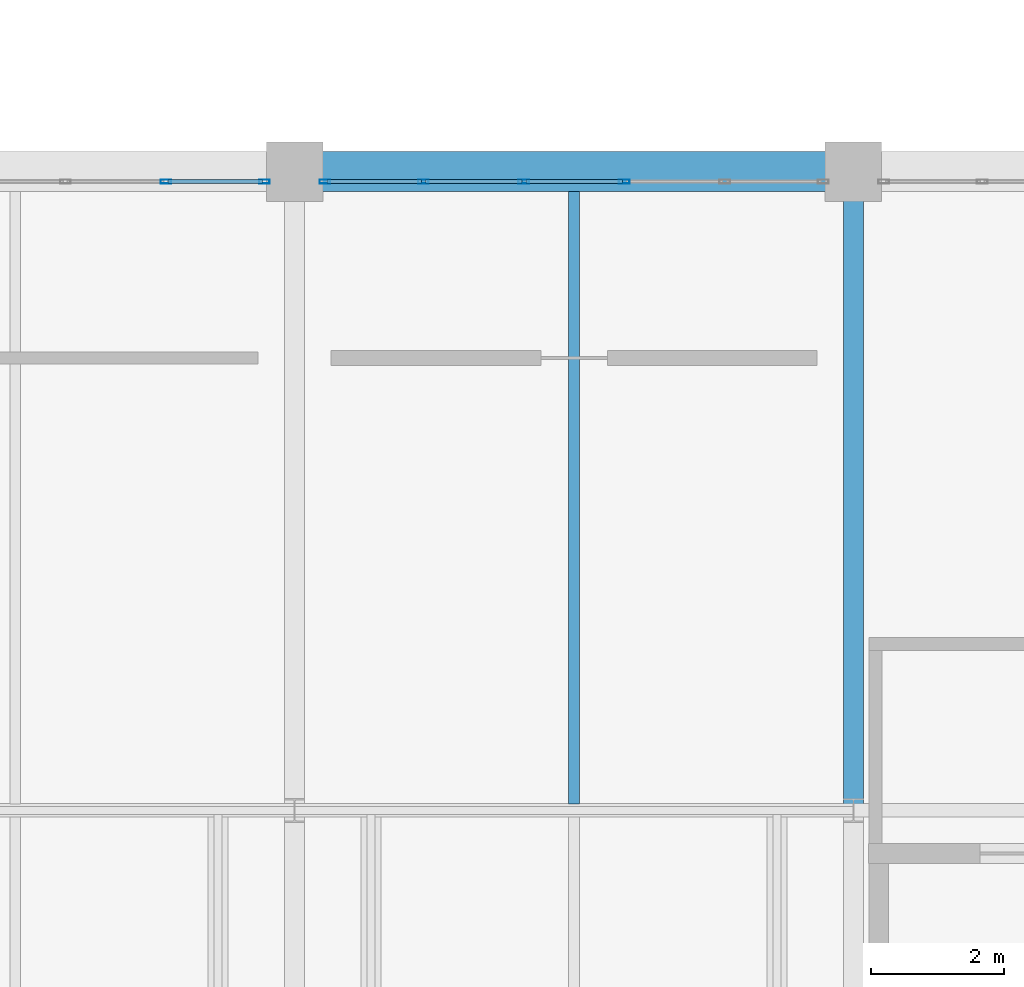
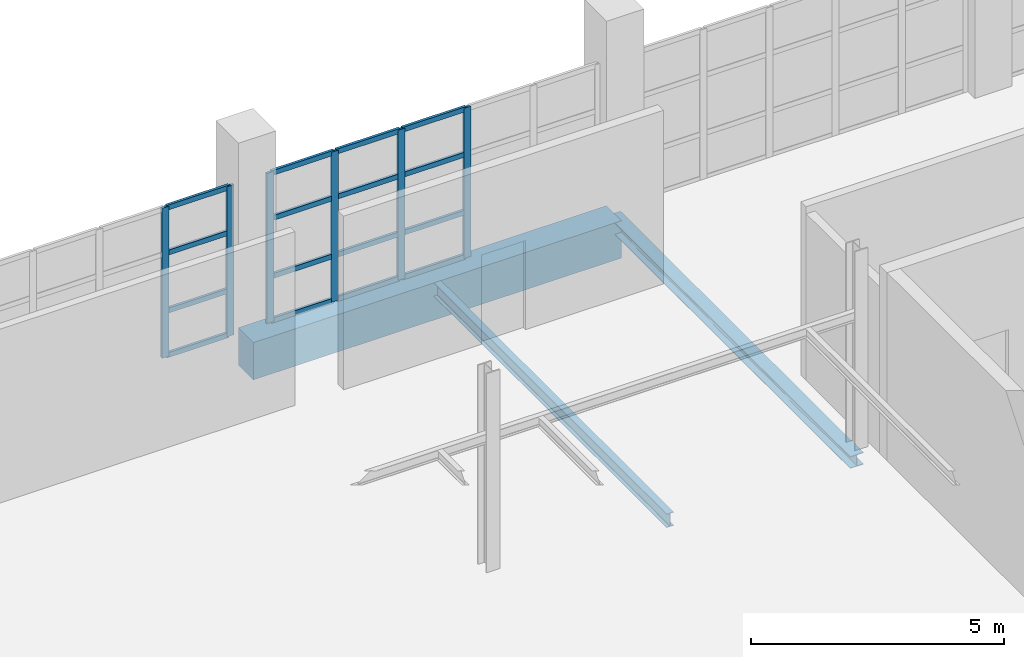
# One storey, part 14 of 29: 22 members, 3 beams, 2 elements without a shape of their own.
"""IFC4 building model written with IfcOpenShell, lengths in metres."""

from ifc_helpers import new_model, si_unit, direction, frame, origin, origin_2d, place, context, subcontext, project, spatial, rectangle, hollow_rectangle, i_section, extrude, material, material_profile, profile_set, type_object, element, aggregate, save


model = new_model("IFC4")

# Units and contexts
model_context = context("Model", 3, precision=1e-05, world=origin(), true_north=direction((0.0, 1.0)))
body_context = subcontext(model_context, "Body", "Model", "MODEL_VIEW")
ifc_project = project(units=[si_unit("LENGTHUNIT", "METRE"), si_unit("AREAUNIT", "SQUARE_METRE"), si_unit("VOLUMEUNIT", "CUBIC_METRE"), si_unit("PLANEANGLEUNIT", "RADIAN"), si_unit("MASSUNIT", "GRAM", prefix="KILO")], contexts=[model_context])

# Site, building, storey
site_placement = place(None, origin())
site = spatial("IfcSite", under=ifc_project, at=site_placement, CompositionType="ELEMENT")
building_placement = place(site_placement, origin())
building = spatial("IfcBuilding", under=site, at=building_placement, Name="Veltarok Museum of Natural Sciences", CompositionType="ELEMENT")
storey_placement = place(building_placement, frame((0.0, 0.0, 26.39990234375)))
storey = spatial("IfcBuildingStorey", under=building, at=storey_placement, Name="L05", CompositionType="ELEMENT", Elevation=26.39990234375)

# Curtain wall, members
ifc_material_1 = material(Name="Low-iron triple insulated glass", Category="glass")
curtain_wall_type = type_object("IfcCurtainWallType", Name="Curtain Wall System CW-V1N-L05-755x362 (V1 North Overlook L05 755x362cm)", PredefinedType="NOTDEFINED", material=ifc_material_1)
curtain_wall_1_placement = place(storey_placement, origin())
curtain_wall_1 = element("IfcCurtainWall", 1, at=curtain_wall_1_placement, inside=storey, type_object=curtain_wall_type, Name="Curtain Wall CW-V1N-L05-755x362 CW-0016", PredefinedType="NOTDEFINED")
ifc_material_2 = material(Name="Thermally broken anodised aluminium", Category="aluminium")
ifc_material_profile_1 = material_profile(ifc_material_2, hollow_rectangle(XDim=0.06005859375, YDim=0.1201171875, WallThickness=0.0048828125, at=origin_2d()), Name="CW TRANSOM 60x120x5")
ifc_profile_set_1 = profile_set([ifc_material_profile_1], Name="Thermally broken anodised aluminium")
member_type_1 = type_object("IfcMemberType", Name="Curtain Wall Horizontal Transom 60x120x5", PredefinedType="USERDEFINED", material=ifc_profile_set_1)
member_1_placement = place(storey_placement, frame((81.514892578125, 19.050048828125, 0.030029296875), z_axis=(-1.0, 0.0, 0.0), x_axis=(0.0, -1.0, 0.0)))
member_1 = element("IfcMember", 2, at=member_1_placement, type_object=member_type_1, Name="CW-V1N-L05-755x362 transom 1.1", ObjectType="TRANSOM", PredefinedType="USERDEFINED", context=body_context, shape_type="SweptSolid", body=[
    extrude(hollow_rectangle(XDim=0.06005859375, YDim=0.1201171875, WallThickness=0.0048828125, at=origin_2d()), origin(), (0.0, 0.0, 1.0), 1.419921875),
])
member_2_placement = place(storey_placement, frame((81.514892578125, 19.050048828125, 1.10009765625), z_axis=(-1.0, 0.0, 0.0), x_axis=(0.0, -1.0, 0.0)))
member_2 = element("IfcMember", 3, at=member_2_placement, type_object=member_type_1, Name="CW-V1N-L05-755x362 transom 1.2", ObjectType="TRANSOM", PredefinedType="USERDEFINED", context=body_context, shape_type="SweptSolid", body=[
    extrude(hollow_rectangle(XDim=0.06005859375, YDim=0.1201171875, WallThickness=0.0048828125, at=origin_2d()), origin(), (0.0, 0.0, 1.0), 1.419921875),
])
member_3_placement = place(storey_placement, frame((81.514892578125, 19.050048828125, 2.5), z_axis=(-1.0, 0.0, 0.0), x_axis=(0.0, -1.0, 0.0)))
member_3 = element("IfcMember", 4, at=member_3_placement, type_object=member_type_1, Name="CW-V1N-L05-755x362 transom 1.3", ObjectType="TRANSOM", PredefinedType="USERDEFINED", context=body_context, shape_type="SweptSolid", body=[
    extrude(hollow_rectangle(XDim=0.06005859375, YDim=0.1201171875, WallThickness=0.0048828125, at=origin_2d()), origin(), (0.0, 0.0, 1.0), 1.419921875),
])
member_4_placement = place(storey_placement, frame((81.514892578125, 19.050048828125, 3.590087890625), z_axis=(-1.0, 0.0, 0.0), x_axis=(0.0, -1.0, 0.0)))
member_4 = element("IfcMember", 5, at=member_4_placement, type_object=member_type_1, Name="CW-V1N-L05-755x362 transom 1.4", ObjectType="TRANSOM", PredefinedType="USERDEFINED", context=body_context, shape_type="SweptSolid", body=[
    extrude(hollow_rectangle(XDim=0.06005859375, YDim=0.1201171875, WallThickness=0.0048828125, at=origin_2d()), origin(), (0.0, 0.0, 1.0), 1.419921875),
])

curtain_wall_2_placement = place(storey_placement, origin())
curtain_wall_2 = element("IfcCurtainWall", 6, at=curtain_wall_2_placement, inside=storey, type_object=curtain_wall_type, Name="Curtain Wall CW-V1N-L05-755x362 CW-0017", PredefinedType="NOTDEFINED")
member_5_placement = place(storey_placement, frame((86.925048828125, 19.050048828125, 0.030029296875), z_axis=(-1.0, 0.0, 0.0), x_axis=(0.0, -1.0, 0.0)))
member_5 = element("IfcMember", 7, at=member_5_placement, type_object=member_type_1, Name="CW-V1N-L05-755x362 transom 3.1", ObjectType="TRANSOM", PredefinedType="USERDEFINED", context=body_context, shape_type="SweptSolid", body=[
    extrude(hollow_rectangle(XDim=0.06005859375, YDim=0.1201171875, WallThickness=0.0048828125, at=origin_2d()), origin(), (0.0, 0.0, 1.0), 1.449951171875),
])
member_6_placement = place(storey_placement, frame((86.925048828125, 19.050048828125, 1.10009765625), z_axis=(-1.0, 0.0, 0.0), x_axis=(0.0, -1.0, 0.0)))
member_6 = element("IfcMember", 8, at=member_6_placement, type_object=member_type_1, Name="CW-V1N-L05-755x362 transom 3.2", ObjectType="TRANSOM", PredefinedType="USERDEFINED", context=body_context, shape_type="SweptSolid", body=[
    extrude(hollow_rectangle(XDim=0.06005859375, YDim=0.1201171875, WallThickness=0.0048828125, at=origin_2d()), origin(), (0.0, 0.0, 1.0), 1.449951171875),
])
member_7_placement = place(storey_placement, frame((86.925048828125, 19.050048828125, 2.5), z_axis=(-1.0, 0.0, 0.0), x_axis=(0.0, -1.0, 0.0)))
member_7 = element("IfcMember", 9, at=member_7_placement, type_object=member_type_1, Name="CW-V1N-L05-755x362 transom 3.3", ObjectType="TRANSOM", PredefinedType="USERDEFINED", context=body_context, shape_type="SweptSolid", body=[
    extrude(hollow_rectangle(XDim=0.06005859375, YDim=0.1201171875, WallThickness=0.0048828125, at=origin_2d()), origin(), (0.0, 0.0, 1.0), 1.449951171875),
])
member_8_placement = place(storey_placement, frame((86.925048828125, 19.050048828125, 3.590087890625), z_axis=(-1.0, 0.0, 0.0), x_axis=(0.0, -1.0, 0.0)))
member_8 = element("IfcMember", 10, at=member_8_placement, type_object=member_type_1, Name="CW-V1N-L05-755x362 transom 3.4", ObjectType="TRANSOM", PredefinedType="USERDEFINED", context=body_context, shape_type="SweptSolid", body=[
    extrude(hollow_rectangle(XDim=0.06005859375, YDim=0.1201171875, WallThickness=0.0048828125, at=origin_2d()), origin(), (0.0, 0.0, 1.0), 1.449951171875),
])
member_9_placement = place(storey_placement, frame((85.4150390625, 19.050048828125, 0.030029296875), z_axis=(-1.0, 0.0, 0.0), x_axis=(0.0, -1.0, 0.0)))
member_9 = element("IfcMember", 11, at=member_9_placement, type_object=member_type_1, Name="CW-V1N-L05-755x362 transom 4.1", ObjectType="TRANSOM", PredefinedType="USERDEFINED", context=body_context, shape_type="SweptSolid", body=[
    extrude(hollow_rectangle(XDim=0.06005859375, YDim=0.1201171875, WallThickness=0.0048828125, at=origin_2d()), origin(), (0.0, 0.0, 1.0), 1.449951171875),
])
member_10_placement = place(storey_placement, frame((85.4150390625, 19.050048828125, 1.10009765625), z_axis=(-1.0, 0.0, 0.0), x_axis=(0.0, -1.0, 0.0)))
member_10 = element("IfcMember", 12, at=member_10_placement, type_object=member_type_1, Name="CW-V1N-L05-755x362 transom 4.2", ObjectType="TRANSOM", PredefinedType="USERDEFINED", context=body_context, shape_type="SweptSolid", body=[
    extrude(hollow_rectangle(XDim=0.06005859375, YDim=0.1201171875, WallThickness=0.0048828125, at=origin_2d()), origin(), (0.0, 0.0, 1.0), 1.449951171875),
])
member_11_placement = place(storey_placement, frame((85.4150390625, 19.050048828125, 2.5), z_axis=(-1.0, 0.0, 0.0), x_axis=(0.0, -1.0, 0.0)))
member_11 = element("IfcMember", 13, at=member_11_placement, type_object=member_type_1, Name="CW-V1N-L05-755x362 transom 4.3", ObjectType="TRANSOM", PredefinedType="USERDEFINED", context=body_context, shape_type="SweptSolid", body=[
    extrude(hollow_rectangle(XDim=0.06005859375, YDim=0.1201171875, WallThickness=0.0048828125, at=origin_2d()), origin(), (0.0, 0.0, 1.0), 1.449951171875),
])
member_12_placement = place(storey_placement, frame((85.4150390625, 19.050048828125, 3.590087890625), z_axis=(-1.0, 0.0, 0.0), x_axis=(0.0, -1.0, 0.0)))
member_12 = element("IfcMember", 14, at=member_12_placement, type_object=member_type_1, Name="CW-V1N-L05-755x362 transom 4.4", ObjectType="TRANSOM", PredefinedType="USERDEFINED", context=body_context, shape_type="SweptSolid", body=[
    extrude(hollow_rectangle(XDim=0.06005859375, YDim=0.1201171875, WallThickness=0.0048828125, at=origin_2d()), origin(), (0.0, 0.0, 1.0), 1.449951171875),
])
member_13_placement = place(storey_placement, frame((83.905029296875, 19.050048828125, 0.030029296875), z_axis=(-1.0, 0.0, 0.0), x_axis=(0.0, -1.0, 0.0)))
member_13 = element("IfcMember", 15, at=member_13_placement, type_object=member_type_1, Name="CW-V1N-L05-755x362 transom 5.1", ObjectType="TRANSOM", PredefinedType="USERDEFINED", context=body_context, shape_type="SweptSolid", body=[
    extrude(hollow_rectangle(XDim=0.06005859375, YDim=0.1201171875, WallThickness=0.0048828125, at=origin_2d()), origin(), (0.0, 0.0, 1.0), 1.419921875),
])
member_14_placement = place(storey_placement, frame((83.905029296875, 19.050048828125, 1.10009765625), z_axis=(-1.0, 0.0, 0.0), x_axis=(0.0, -1.0, 0.0)))
member_14 = element("IfcMember", 16, at=member_14_placement, type_object=member_type_1, Name="CW-V1N-L05-755x362 transom 5.2", ObjectType="TRANSOM", PredefinedType="USERDEFINED", context=body_context, shape_type="SweptSolid", body=[
    extrude(hollow_rectangle(XDim=0.06005859375, YDim=0.1201171875, WallThickness=0.0048828125, at=origin_2d()), origin(), (0.0, 0.0, 1.0), 1.419921875),
])
member_15_placement = place(storey_placement, frame((83.905029296875, 19.050048828125, 2.5), z_axis=(-1.0, 0.0, 0.0), x_axis=(0.0, -1.0, 0.0)))
member_15 = element("IfcMember", 17, at=member_15_placement, type_object=member_type_1, Name="CW-V1N-L05-755x362 transom 5.3", ObjectType="TRANSOM", PredefinedType="USERDEFINED", context=body_context, shape_type="SweptSolid", body=[
    extrude(hollow_rectangle(XDim=0.06005859375, YDim=0.1201171875, WallThickness=0.0048828125, at=origin_2d()), origin(), (0.0, 0.0, 1.0), 1.419921875),
])
member_16_placement = place(storey_placement, frame((83.905029296875, 19.050048828125, 3.590087890625), z_axis=(-1.0, 0.0, 0.0), x_axis=(0.0, -1.0, 0.0)))
member_16 = element("IfcMember", 18, at=member_16_placement, type_object=member_type_1, Name="CW-V1N-L05-755x362 transom 5.4", ObjectType="TRANSOM", PredefinedType="USERDEFINED", context=body_context, shape_type="SweptSolid", body=[
    extrude(hollow_rectangle(XDim=0.06005859375, YDim=0.1201171875, WallThickness=0.0048828125, at=origin_2d()), origin(), (0.0, 0.0, 1.0), 1.419921875),
])

# Member
ifc_material_profile_2 = material_profile(ifc_material_2, hollow_rectangle(XDim=0.06005859375, YDim=0.159912109375, WallThickness=0.0048828125, at=origin_2d()), Name="CW MULLION 60x160x5")
ifc_profile_set_2 = profile_set([ifc_material_profile_2], Name="Thermally broken anodised aluminium")
member_type_2 = type_object("IfcMemberType", Name="Curtain Wall Vertical Mullion 60x160x5", PredefinedType="MULLION", material=ifc_profile_set_2)
member_17_placement = place(storey_placement, frame((81.544921875, 19.050048828125, 0.0), z_axis=(0.0, 0.0, 1.0), x_axis=(0.0, -1.0, 0.0)))
member_17 = element("IfcMember", 19, at=member_17_placement, type_object=member_type_2, Name="CW-V1N-L05-755x362 mullion 1", PredefinedType="MULLION", context=body_context, shape_type="SweptSolid", body=[
    extrude(hollow_rectangle(XDim=0.06005859375, YDim=0.159912109375, WallThickness=0.0048828125, at=origin_2d()), origin(), (0.0, 0.0, 1.0), 3.6201171875),
])

member_18_placement = place(storey_placement, frame((80.06494140625, 19.050048828125, 0.0), z_axis=(0.0, 0.0, 1.0), x_axis=(0.0, -1.0, 0.0)))
member_18 = element("IfcMember", 20, at=member_18_placement, type_object=member_type_2, Name="CW-V1N-L05-755x362 mullion 2", PredefinedType="MULLION", context=body_context, shape_type="SweptSolid", body=[
    extrude(hollow_rectangle(XDim=0.06005859375, YDim=0.159912109375, WallThickness=0.0048828125, at=origin_2d()), origin(), (0.0, 0.0, 1.0), 3.6201171875),
])

aggregate(curtain_wall_1, [member_17, member_18, member_1, member_2, member_3, member_4])

member_19_placement = place(storey_placement, frame((86.955078125, 19.050048828125, 0.0), z_axis=(0.0, 0.0, 1.0), x_axis=(0.0, -1.0, 0.0)))
member_19 = element("IfcMember", 21, at=member_19_placement, type_object=member_type_2, Name="CW-V1N-L05-755x362 mullion 3", PredefinedType="MULLION", context=body_context, shape_type="SweptSolid", body=[
    extrude(hollow_rectangle(XDim=0.06005859375, YDim=0.159912109375, WallThickness=0.0048828125, at=origin_2d()), origin(), (0.0, 0.0, 1.0), 3.6201171875),
])

member_20_placement = place(storey_placement, frame((85.445068359375, 19.050048828125, 0.0), z_axis=(0.0, 0.0, 1.0), x_axis=(0.0, -1.0, 0.0)))
member_20 = element("IfcMember", 22, at=member_20_placement, type_object=member_type_2, Name="CW-V1N-L05-755x362 mullion 4", PredefinedType="MULLION", context=body_context, shape_type="SweptSolid", body=[
    extrude(hollow_rectangle(XDim=0.06005859375, YDim=0.159912109375, WallThickness=0.0048828125, at=origin_2d()), origin(), (0.0, 0.0, 1.0), 3.6201171875),
])

member_21_placement = place(storey_placement, frame((83.93505859375, 19.050048828125, 0.0), z_axis=(0.0, 0.0, 1.0), x_axis=(0.0, -1.0, 0.0)))
member_21 = element("IfcMember", 23, at=member_21_placement, type_object=member_type_2, Name="CW-V1N-L05-755x362 mullion 5", PredefinedType="MULLION", context=body_context, shape_type="SweptSolid", body=[
    extrude(hollow_rectangle(XDim=0.06005859375, YDim=0.159912109375, WallThickness=0.0048828125, at=origin_2d()), origin(), (0.0, 0.0, 1.0), 3.6201171875),
])

member_22_placement = place(storey_placement, frame((82.455078125, 19.050048828125, 0.0), z_axis=(0.0, 0.0, 1.0), x_axis=(0.0, -1.0, 0.0)))
member_22 = element("IfcMember", 24, at=member_22_placement, type_object=member_type_2, Name="CW-V1N-L05-755x362 mullion 6", PredefinedType="MULLION", context=body_context, shape_type="SweptSolid", body=[
    extrude(hollow_rectangle(XDim=0.06005859375, YDim=0.159912109375, WallThickness=0.0048828125, at=origin_2d()), origin(), (0.0, 0.0, 1.0), 3.6201171875),
])

aggregate(curtain_wall_2, [member_19, member_20, member_21, member_22, member_5, member_6, member_7, member_8, member_9, member_10, member_11, member_12, member_13, member_14, member_15, member_16])

# Beams
ifc_material_3 = material(Name="Concrete C40/50", Category="concrete")
ifc_material_profile_3 = material_profile(ifc_material_3, rectangle(XDim=0.60009765625, YDim=0.89990234375, at=origin_2d()), Name="RC 600x900")
ifc_profile_set_3 = profile_set([ifc_material_profile_3], Name="Concrete C40/50")
beam_type_1 = type_object("IfcBeamType", Name="Exposed Cabinet Perimeter Spandrel RC 600x900", PredefinedType="SPANDREL", material=ifc_profile_set_3)
beam_1_placement = place(storey_placement, frame((82.0, 19.199951171875, -0.699951171875), z_axis=(1.0, 0.0, 0.0), x_axis=(0.0, 1.0, 0.0)))
element("IfcBeam", 25, at=beam_1_placement, inside=storey, type_object=beam_type_1, Name="Beam BM-SP01 L05 10-11/C", PredefinedType="SPANDREL", context=body_context, shape_type="SweptSolid", body=[
    extrude(rectangle(XDim=0.60009765625, YDim=0.89990234375, at=origin_2d()), origin(), (0.0, 0.0, 1.0), 8.39990234375),
])
ifc_material_4 = material(Name="Steel S355J2", Category="steel")
ifc_material_profile_4 = material_profile(ifc_material_4, i_section(OverallWidth=0.300048828125, OverallDepth=0.2900390625, WebThickness=0.008544921875, FlangeThickness=0.013916015625, FilletRadius=0.027099609375, at=origin_2d()), Name="HEA 300")
ifc_profile_set_4 = profile_set([ifc_material_profile_4], Name="Steel S355J2")
beam_type_2 = type_object("IfcBeamType", Name="Glazed Hall Edge Spandrel HEA 300", PredefinedType="SPANDREL", material=ifc_profile_set_4)
beam_2_placement = place(storey_placement, frame((90.39990234375, 9.60009765625, -0.39501953125), z_axis=(0.0, 1.0, 0.0), x_axis=(-1.0, 0.0, 0.0)))
element("IfcBeam", 26, at=beam_2_placement, inside=storey, type_object=beam_type_2, Name="Beam BM-SP03 L05 11/B-C", PredefinedType="SPANDREL", context=body_context, shape_type="SweptSolid", body=[
    extrude(i_section(OverallWidth=0.300048828125, OverallDepth=0.2900390625, WebThickness=0.008544921875, FlangeThickness=0.013916015625, FilletRadius=0.027099609375, at=origin_2d()), origin(), (0.0, 0.0, 1.0), 9.599853515625),
])
ifc_material_profile_5 = material_profile(ifc_material_4, i_section(OverallWidth=0.159912109375, OverallDepth=0.330078125, WebThickness=0.007568359375, FlangeThickness=0.011474609375, FilletRadius=0.01806640625, at=origin_2d()), Name="IPE 330")
ifc_profile_set_5 = profile_set([ifc_material_profile_5], Name="Steel S355J2")
beam_type_3 = type_object("IfcBeamType", Name="Medium-Bay Composite Joist IPE 330", PredefinedType="JOIST", material=ifc_profile_set_5)
beam_3_placement = place(storey_placement, frame((86.199951171875, 9.697998046875, -0.414794921875), z_axis=(0.0, 1.0, 0.0), x_axis=(-1.0, 0.0, 0.0)))
element("IfcBeam", 27, at=beam_3_placement, inside=storey, type_object=beam_type_3, Name="Secondary Joist BM-J02 L05 10-11/B-C.1", PredefinedType="JOIST", context=body_context, shape_type="SweptSolid", body=[
    extrude(i_section(OverallWidth=0.159912109375, OverallDepth=0.330078125, WebThickness=0.007568359375, FlangeThickness=0.011474609375, FilletRadius=0.01806640625, at=origin_2d()), origin(), (0.0, 0.0, 1.0), 9.2041015625),
])

save(model, "model.ifc")
